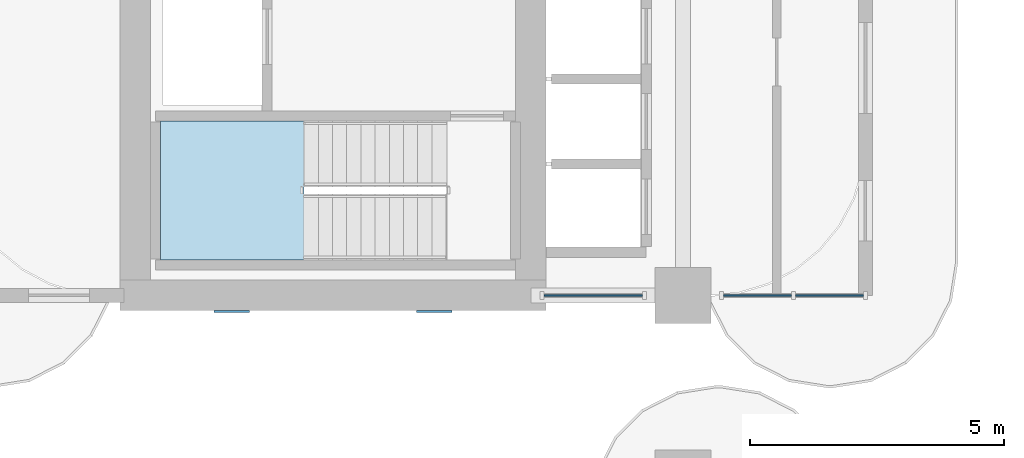
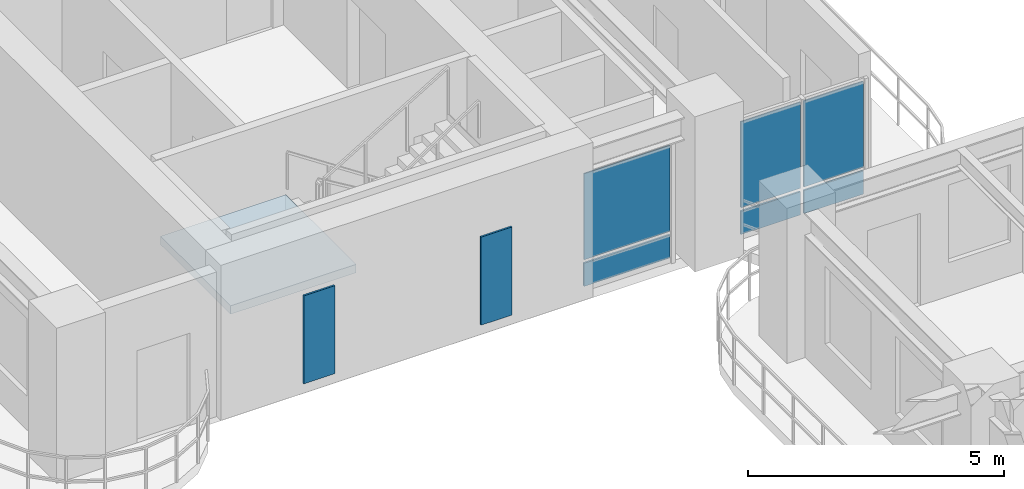
# One storey, part 4 of 18: 8 plates, 1 slab, 3 elements without a shape of their own.
"""IFC4 building model written with IfcOpenShell, lengths in metres."""

from ifc_helpers import new_model, si_unit, derived_unit, direction, frame, origin, origin_2d, place, context, subcontext, project, spatial, polyline, rectangle, outline, extrude, source, transform, mapped, material, layer, layer_set, type_object, type_shapes, element, aggregate, save


model = new_model("IFC4")

# Units and contexts
model_context = context("Model", 3, precision=1e-05, world=origin(), true_north=direction((0.0, 1.0)))
body_context = subcontext(model_context, "Body", "Model", "MODEL_VIEW")
ifc_project = project(units=[si_unit("LENGTHUNIT", "METRE"), si_unit("AREAUNIT", "SQUARE_METRE"), si_unit("VOLUMEUNIT", "CUBIC_METRE"), si_unit("PLANEANGLEUNIT", "RADIAN"), si_unit("MASSUNIT", "GRAM", prefix="KILO"), si_unit("THERMODYNAMICTEMPERATUREUNIT", "KELVIN"), si_unit("POWERUNIT", "WATT"), derived_unit("THERMALTRANSMITTANCEUNIT", [(si_unit("POWERUNIT", "WATT"), 1), (si_unit("AREAUNIT", "SQUARE_METRE"), -1), (si_unit("THERMODYNAMICTEMPERATUREUNIT", "KELVIN"), -1)])], contexts=[model_context])

# Site, building, storey
site_placement = place(None, origin())
site = spatial("IfcSite", under=ifc_project, at=site_placement, CompositionType="ELEMENT")
building_placement = place(site_placement, origin())
building = spatial("IfcBuilding", under=site, at=building_placement, Name="Zahravan Archway Hotel and Residences", CompositionType="ELEMENT")
storey_placement = place(building_placement, frame((0.0, 0.0, 36.10009765625)))
storey = spatial("IfcBuildingStorey", under=building, at=storey_placement, Name="L07", CompositionType="ELEMENT", Elevation=36.10009765625)

# Stair, slab
ifc_material_1 = material(Name="Concrete C50/60", Category="concrete")
stair_type = type_object("IfcStairType", Name="STR-CORE-1300", PredefinedType="HALF_TURN_STAIR", material=ifc_material_1)
stair_placement = place(storey_placement, origin())
stair = element("IfcStair", 1, at=stair_placement, inside=storey, type_object=stair_type, Name="L07 Core B Exit Stair 1", PredefinedType="HALF_TURN_STAIR")
ifc_layer_1 = layer(ifc_material_1, 0.199951171875, Name="Concrete C50/60", Category="concrete")
ifc_layer_set_1 = layer_set([ifc_layer_1], Name="Concrete C50/60")
slab_type = type_object("IfcSlabType", Name="SLB-LND-200", PredefinedType="LANDING", material=ifc_layer_set_1)
slab_placement = place(storey_placement, frame((0.0, 0.0, 1.64990234375)))
slab = element("IfcSlab", 2, at=slab_placement, type_object=slab_type, Name="ST-B1 landing 1", PredefinedType="LANDING", context=body_context, shape_type="SweptSolid", body=[
    extrude(outline(polyline([(6.929931640625, 28.639892578125), (4.10009765625, 28.639892578125), (4.10009765625, 25.89990234375), (6.929931640625, 25.89990234375), (6.929931640625, 28.639892578125)])), origin(), (0.0, 0.0, 1.0), 0.199951171875),
])
aggregate(stair, [slab])

# Plates
ifc_material_2 = material(Name="Perforated Cast Bronze Jali Lattice")
ifc_layer_2 = layer(ifc_material_2, 0.044921875, Name="Perforated Cast Bronze Jali Lattice")
ifc_layer_set_2 = layer_set([ifc_layer_2], Name="Perforated Cast Bronze Jali Lattice")
plate_type_1 = type_object("IfcPlateType", Name="PLT-JALI-BAY", PredefinedType="USERDEFINED", material=ifc_layer_set_2)
shared_shape_1 = source(origin(), body_context, "Body", "SweptSolid", [
    extrude(rectangle(XDim=0.699951171875, YDim=0.044921875, at=origin_2d()), origin(), (0.0, 0.0, 1.0), 2.10009765625),
])
type_shapes(plate_type_1, [shared_shape_1])
for number, where, z_axis, x_axis, name in (
    (3, (5.5, 24.882080078125, 0.249755859375), (0.0, 0.0, 1.0), (1.0, 0.0, 0.0), "L07 Core B South Mughal Jali Screen 1"),
    (4, (9.5, 24.882080078125, 0.249755859375), (0.0, 0.0, 1.0), (1.0, 0.0, 0.0), "L07 Core B South Mughal Jali Screen 2"),
):
    element("IfcPlate", number, at=place(storey_placement, frame(where, z_axis=z_axis, x_axis=x_axis)), inside=storey, type_object=plate_type_1, Name=name, ObjectType="SCREEN", PredefinedType="USERDEFINED", context=body_context, shape_type="MappedRepresentation", body=[
        mapped(shared_shape_1, transform((0.0, 0.0, 0.0), scale=1.0)),
    ])

# Curtain wall, plates
ifc_material_3 = material(Name="Bronze-Anodized Unitised Aluminium & Low-E Glass", Category="aluminium")
ifc_layer_3 = layer(ifc_material_3, 0.179931640625, Name="Bronze-Anodized Unitised Aluminium & Low-E Glass", Category="aluminium")
ifc_layer_set_3 = layer_set([ifc_layer_3], Name="Bronze-Anodized Unitised Aluminium & Low-E Glass")
curtain_wall_type = type_object("IfcCurtainWallType", Name="CW-ATR-GLAZ", PredefinedType="NOTDEFINED", material=ifc_layer_set_3)
curtain_wall_1_placement = place(storey_placement, origin())
curtain_wall_1 = element("IfcCurtainWall", 5, at=curtain_wall_1_placement, inside=storey, type_object=curtain_wall_type, Name="L07 Curtain Wall CW-L07-WB-SE-1", PredefinedType="NOTDEFINED")
ifc_material_4 = material(Name="Insulated Terracotta Spandrel Panel", Category="masonry")
ifc_layer_4 = layer(ifc_material_4, 0.0400390625, Name="Insulated Terracotta Spandrel Panel", Category="masonry")
ifc_layer_set_4 = layer_set([ifc_layer_4], Name="Insulated Terracotta Spandrel Panel")
plate_type_2 = type_object("IfcPlateType", Name="CWP-SPN-40", PredefinedType="SHEET", material=ifc_layer_set_4)
shared_shape_2 = source(origin(), body_context, "Body", "SweptSolid", [
    extrude(rectangle(XDim=1.93994140625, YDim=0.0400390625, at=origin_2d()), origin(), (0.0, 0.0, 1.0), 0.552490234375),
])
plate_1_placement = place(storey_placement, frame((12.6298828125, 25.199951171875, 0.10009765625), z_axis=(0.0, 0.0, 1.0), x_axis=(1.0, 0.0, 0.0)))
plate_1 = element("IfcPlate", 6, at=plate_1_placement, type_object=plate_type_2, Name="CW-L07-WB-SE-1 Spandrel Panel 0", PredefinedType="SHEET", context=body_context, shape_type="MappedRepresentation", body=[
    mapped(shared_shape_2, transform((0.0, 0.0, 0.0), scale=1.0)),
])
ifc_material_5 = material(Name="Double-Silver Low-E Insulated Vision Glass", Category="glass")
ifc_layer_5 = layer(ifc_material_5, 0.028076171875, Name="Double-Silver Low-E Insulated Vision Glass", Category="glass")
ifc_layer_set_5 = layer_set([ifc_layer_5], Name="Double-Silver Low-E Insulated Vision Glass")
plate_type_3 = type_object("IfcPlateType", Name="CWP-GLZ-28", PredefinedType="CURTAIN_PANEL", material=ifc_layer_set_5)
shared_shape_3 = source(origin(), body_context, "Body", "SweptSolid", [
    extrude(rectangle(XDim=1.93994140625, YDim=0.028076171875, at=origin_2d()), origin(), (0.0, 0.0, 1.0), 2.052490234375),
])
plate_2_placement = place(storey_placement, frame((12.6298828125, 25.199951171875, 0.732421875), z_axis=(0.0, 0.0, 1.0), x_axis=(1.0, 0.0, 0.0)))
plate_2 = element("IfcPlate", 7, at=plate_2_placement, type_object=plate_type_3, Name="CW-L07-WB-SE-1 Low-E Vision Panel 0", PredefinedType="CURTAIN_PANEL", context=body_context, shape_type="MappedRepresentation", body=[
    mapped(shared_shape_3, transform((0.0, 0.0, 0.0), scale=1.0)),
])
aggregate(curtain_wall_1, [plate_1, plate_2])

curtain_wall_2_placement = place(storey_placement, origin())
curtain_wall_2 = element("IfcCurtainWall", 8, at=curtain_wall_2_placement, inside=storey, type_object=curtain_wall_type, Name="L07 Curtain Wall CW-L07-WB-SE-2", PredefinedType="NOTDEFINED")
shared_shape_4 = source(origin(), body_context, "Body", "SweptSolid", [
    extrude(rectangle(XDim=1.340087890625, YDim=0.0400390625, at=origin_2d()), origin(), (0.0, 0.0, 1.0), 0.552490234375),
])
plate_3_placement = place(storey_placement, frame((15.8701171875, 25.199951171875, 0.10009765625), z_axis=(0.0, 0.0, 1.0), x_axis=(1.0, 0.0, 0.0)))
plate_3 = element("IfcPlate", 9, at=plate_3_placement, type_object=plate_type_2, Name="CW-L07-WB-SE-2 Spandrel Panel 0", PredefinedType="SHEET", context=body_context, shape_type="MappedRepresentation", body=[
    mapped(shared_shape_4, transform((0.0, 0.0, 0.0), scale=1.0)),
])
plate_4_placement = place(storey_placement, frame((17.2900390625, 25.199951171875, 0.10009765625), z_axis=(0.0, 0.0, 1.0), x_axis=(1.0, 0.0, 0.0)))
plate_4 = element("IfcPlate", 10, at=plate_4_placement, type_object=plate_type_2, Name="CW-L07-WB-SE-2 Spandrel Panel 1", PredefinedType="SHEET", context=body_context, shape_type="MappedRepresentation", body=[
    mapped(shared_shape_4, transform((0.0, 0.0, 0.0), scale=1.0)),
])
shared_shape_5 = source(origin(), body_context, "Body", "SweptSolid", [
    extrude(rectangle(XDim=1.340087890625, YDim=0.028076171875, at=origin_2d()), origin(), (0.0, 0.0, 1.0), 2.052490234375),
])
plate_5_placement = place(storey_placement, frame((15.8701171875, 25.199951171875, 0.732421875), z_axis=(0.0, 0.0, 1.0), x_axis=(1.0, 0.0, 0.0)))
plate_5 = element("IfcPlate", 11, at=plate_5_placement, type_object=plate_type_3, Name="CW-L07-WB-SE-2 Low-E Vision Panel 0", PredefinedType="CURTAIN_PANEL", context=body_context, shape_type="MappedRepresentation", body=[
    mapped(shared_shape_5, transform((0.0, 0.0, 0.0), scale=1.0)),
])
plate_6_placement = place(storey_placement, frame((17.2900390625, 25.199951171875, 0.732421875), z_axis=(0.0, 0.0, 1.0), x_axis=(1.0, 0.0, 0.0)))
plate_6 = element("IfcPlate", 12, at=plate_6_placement, type_object=plate_type_3, Name="CW-L07-WB-SE-2 Low-E Vision Panel 1", PredefinedType="CURTAIN_PANEL", context=body_context, shape_type="MappedRepresentation", body=[
    mapped(shared_shape_5, transform((0.0, 0.0, 0.0), scale=1.0)),
])
aggregate(curtain_wall_2, [plate_3, plate_5, plate_4, plate_6])

save(model, "model.ifc")
